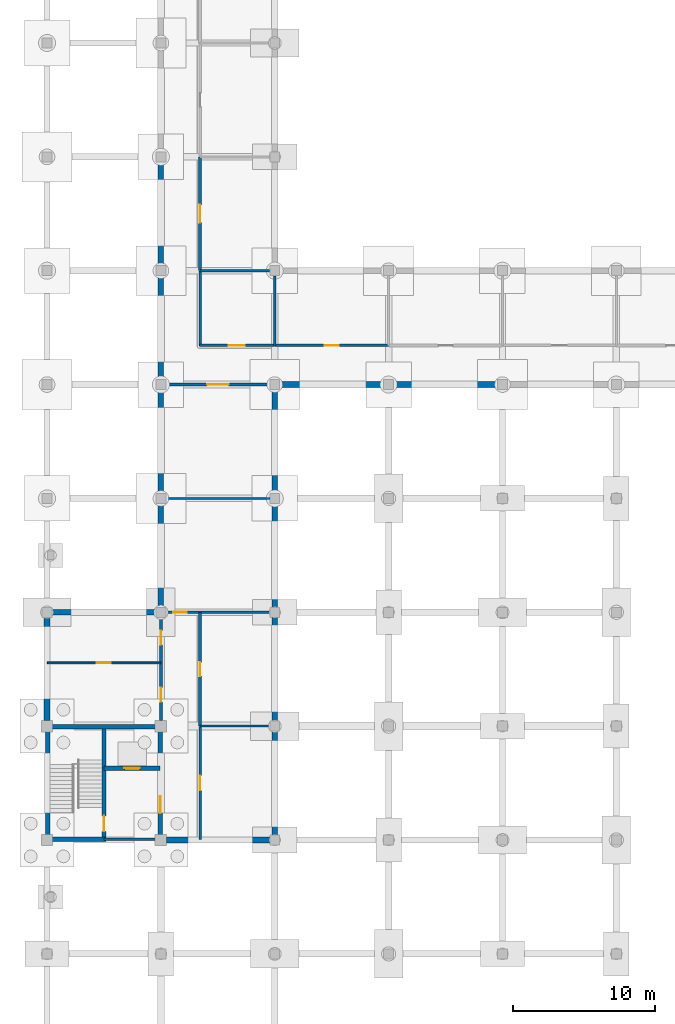
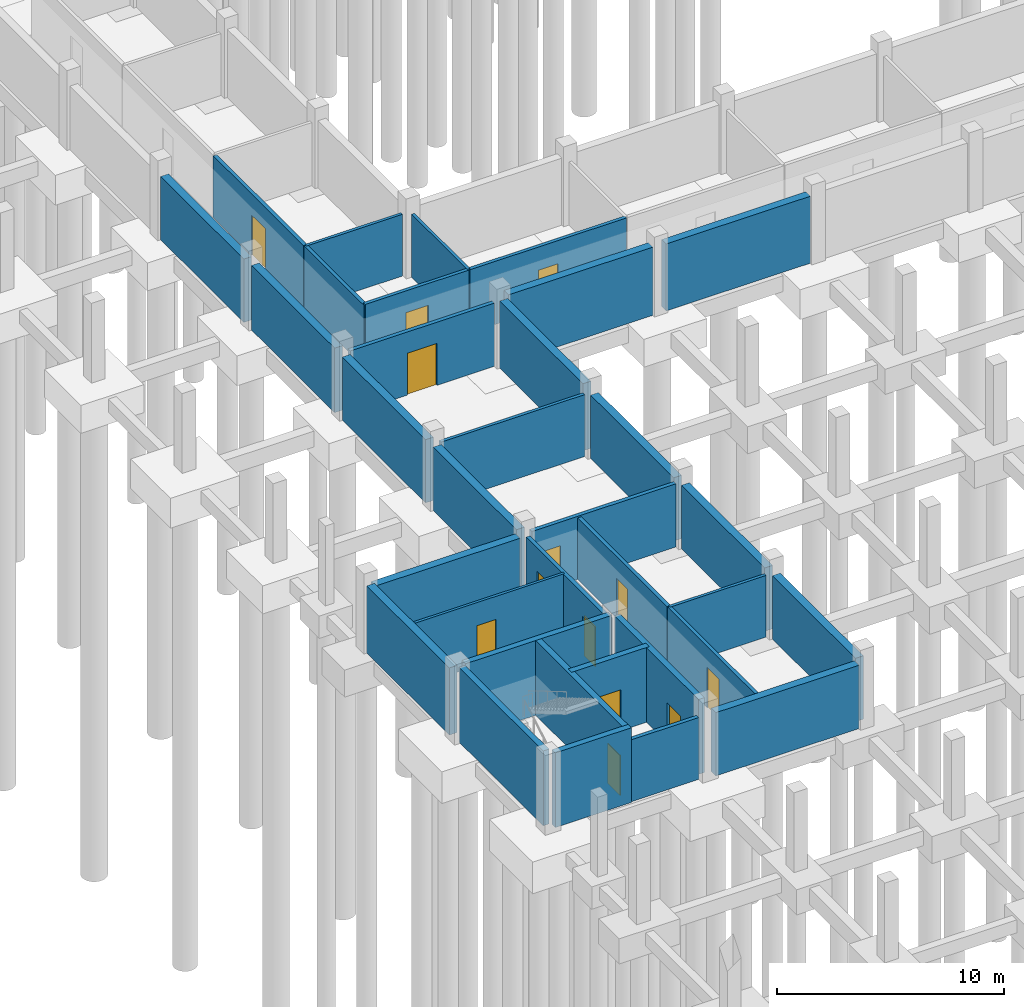
# One storey, part 26 of 48: 34 walls, 13 doors, 13 openings.
"""IFC4 building model written with IfcOpenShell, lengths in metres."""

from ifc_helpers import new_model, si_unit, derived_unit, direction, frame, frame_2d, origin, place, context, subcontext, project, spatial, rectangle, extrude, material, layer, layer_set, type_object, element, fill, save


model = new_model("IFC4")

# Units and contexts
model_context = context("Model", 3, precision=1e-05, world=origin(), true_north=direction((0.0, 1.0)))
body_context = subcontext(model_context, "Body", "Model", "MODEL_VIEW")
ifc_project = project(units=[si_unit("LENGTHUNIT", "METRE"), si_unit("AREAUNIT", "SQUARE_METRE"), si_unit("VOLUMEUNIT", "CUBIC_METRE"), si_unit("PLANEANGLEUNIT", "RADIAN"), si_unit("MASSUNIT", "GRAM", prefix="KILO"), derived_unit("THERMALTRANSMITTANCEUNIT", [(si_unit("MASSUNIT", "GRAM", prefix="KILO"), 1), (si_unit("TIMEUNIT", "SECOND"), -3), (si_unit("THERMODYNAMICTEMPERATUREUNIT", "KELVIN"), -1)])], contexts=[model_context])

# Site, building, storey
site_placement = place(None, origin())
site = spatial("IfcSite", under=ifc_project, at=site_placement, CompositionType="ELEMENT")
building_placement = place(site_placement, origin())
building = spatial("IfcBuilding", under=site, at=building_placement, Name="Veyamyaing Civic Hall", CompositionType="ELEMENT")
storey_placement = place(building_placement, frame((0.0, 0.0, -4.2900390625)))
storey = spatial("IfcBuildingStorey", under=building, at=storey_placement, Name="B1", CompositionType="ELEMENT", Elevation=-4.2900390625)

# Walls
ifc_material_1 = material(Name="Concrete C40/50", Category="concrete")
ifc_layer_1 = layer(ifc_material_1, 0.39990234375, Name="Concrete C40/50")
ifc_layer_set_1 = layer_set([ifc_layer_1], Name="Concrete C40/50")
wall_type_1 = type_object("IfcWallType", Name="WT-01", PredefinedType="SHEAR", material=ifc_layer_set_1)
wall_1_placement = place(storey_placement, frame((0.3349609375, 32.0, 0.0), z_axis=(0.0, 0.0, 1.0), x_axis=(1.0, 0.0, 0.0)))
element("IfcWall", 1, at=wall_1_placement, inside=storey, type_object=wall_type_1, Name="Basement retaining wall WT-01 N 1.4", PredefinedType="SHEAR", context=body_context, shape_type="SweptSolid", body=[
    extrude(rectangle(XDim=7.330078125, YDim=0.39990234375, at=frame_2d((3.6650390625, 0.0))), origin(), (0.0, 0.0, 1.0), 3.323974609375),
])
wall_2_placement = place(storey_placement, frame((0.0, 24.385009765625, 0.0), z_axis=(0.0, 0.0, 1.0), x_axis=(0.0, 1.0, 0.0)))
element("IfcWall", 2, at=wall_2_placement, inside=storey, type_object=wall_type_1, Name="Basement retaining wall WT-01 W 1.4", PredefinedType="SHEAR", context=body_context, shape_type="SweptSolid", body=[
    extrude(rectangle(XDim=7.280029296875, YDim=0.39990234375, at=frame_2d((3.64013671875, 0.0))), origin(), (0.0, 0.0, 1.0), 3.60400390625),
])
wall_3_placement = place(storey_placement, frame((8.385009765625, 16.0, 0.0), z_axis=(0.0, 0.0, 1.0), x_axis=(1.0, 0.0, 0.0)))
element("IfcWall", 3, at=wall_3_placement, inside=storey, type_object=wall_type_1, Name="Basement retaining wall WT-01 S 2.3", PredefinedType="SHEAR", context=body_context, shape_type="SweptSolid", body=[
    extrude(rectangle(XDim=7.280029296875, YDim=0.39990234375, at=frame_2d((3.64013671875, 0.0))), origin(), (0.0, 0.0, 1.0), 3.401123046875),
])
wall_4_placement = place(storey_placement, frame((16.0, 16.3349609375, 0.0), z_axis=(0.0, 0.0, 1.0), x_axis=(0.0, 1.0, 0.0)))
element("IfcWall", 4, at=wall_4_placement, inside=storey, type_object=wall_type_1, Name="Basement retaining wall WT-01 E 2.3", PredefinedType="SHEAR", context=body_context, shape_type="SweptSolid", body=[
    extrude(rectangle(XDim=7.330078125, YDim=0.39990234375, at=frame_2d((3.6650390625, 0.0))), origin(), (0.0, 0.0, 1.0), 3.400146484375),
])
for number, where, z_axis, x_axis, name in (
    (5, (16.0, 24.3349609375, 0.0), (0.0, 0.0, 1.0), (0.0, 1.0, 0.0), "Basement retaining wall WT-01 E 2.4"),
    (6, (8.0, 32.3349609375, 0.0), (0.0, 0.0, 1.0), (0.0, 1.0, 0.0), "Basement retaining wall WT-01 W 2.5"),
):
    element("IfcWall", number, at=place(storey_placement, frame(where, z_axis=z_axis, x_axis=x_axis)), inside=storey, type_object=wall_type_1, Name=name, PredefinedType="SHEAR", context=body_context, shape_type="SweptSolid", body=[
        extrude(rectangle(XDim=7.330078125, YDim=0.39990234375, at=frame_2d((3.6650390625, 0.0))), origin(), (0.0, 0.0, 1.0), 3.408935546875),
    ])
for number, where, z_axis, x_axis, name in (
    (7, (16.0, 32.3349609375, 0.0), (0.0, 0.0, 1.0), (0.0, 1.0, 0.0), "Basement retaining wall WT-01 E 2.5"),
    (8, (8.0, 40.3349609375, 0.0), (0.0, 0.0, 1.0), (0.0, 1.0, 0.0), "Basement retaining wall WT-01 W 2.6"),
):
    element("IfcWall", number, at=place(storey_placement, frame(where, z_axis=z_axis, x_axis=x_axis)), inside=storey, type_object=wall_type_1, Name=name, PredefinedType="SHEAR", context=body_context, shape_type="SweptSolid", body=[
        extrude(rectangle(XDim=7.330078125, YDim=0.39990234375, at=frame_2d((3.6650390625, 0.0))), origin(), (0.0, 0.0, 1.0), 3.401123046875),
    ])
wall_5_placement = place(storey_placement, frame((16.0, 40.3349609375, 0.0), z_axis=(0.0, 0.0, 1.0), x_axis=(0.0, 1.0, 0.0)))
element("IfcWall", 9, at=wall_5_placement, inside=storey, type_object=wall_type_1, Name="Basement retaining wall WT-01 E 2.6", PredefinedType="SHEAR", context=body_context, shape_type="SweptSolid", body=[
    extrude(rectangle(XDim=7.330078125, YDim=0.39990234375, at=frame_2d((3.6650390625, 0.0))), origin(), (0.0, 0.0, 1.0), 3.60400390625),
])
wall_6_placement = place(storey_placement, frame((8.0, 48.3349609375, 0.0), z_axis=(0.0, 0.0, 1.0), x_axis=(0.0, 1.0, 0.0)))
element("IfcWall", 10, at=wall_6_placement, inside=storey, type_object=wall_type_1, Name="Basement retaining wall WT-01 W 2.7", PredefinedType="SHEAR", context=body_context, shape_type="SweptSolid", body=[
    extrude(rectangle(XDim=7.330078125, YDim=0.39990234375, at=frame_2d((3.6650390625, 0.0))), origin(), (0.0, 0.0, 1.0), 3.468017578125),
])
wall_7_placement = place(storey_placement, frame((8.0, 56.3349609375, 0.0), z_axis=(0.0, 0.0, 1.0), x_axis=(0.0, 1.0, 0.0)))
element("IfcWall", 11, at=wall_7_placement, inside=storey, type_object=wall_type_1, Name="Basement retaining wall WT-01 W 2.8", PredefinedType="SHEAR", context=body_context, shape_type="SweptSolid", body=[
    extrude(rectangle(XDim=7.330078125, YDim=0.39990234375, at=frame_2d((3.6650390625, 0.0))), origin(), (0.0, 0.0, 1.0), 3.400146484375),
])
wall_8_placement = place(storey_placement, frame((16.3349609375, 48.0, 0.0), z_axis=(0.0, 0.0, 1.0), x_axis=(1.0, 0.0, 0.0)))
element("IfcWall", 12, at=wall_8_placement, inside=storey, type_object=wall_type_1, Name="Basement retaining wall WT-01 S 3.7", PredefinedType="SHEAR", context=body_context, shape_type="SweptSolid", body=[
    extrude(rectangle(XDim=7.330078125, YDim=0.39990234375, at=frame_2d((3.6650390625, 0.0))), origin(), (0.0, 0.0, 1.0), 3.6669921875),
])
wall_9_placement = place(storey_placement, frame((24.3349609375, 48.0, 0.0), z_axis=(0.0, 0.0, 1.0), x_axis=(1.0, 0.0, 0.0)))
element("IfcWall", 13, at=wall_9_placement, inside=storey, type_object=wall_type_1, Name="Basement retaining wall WT-01 S 4.7", PredefinedType="SHEAR", context=body_context, shape_type="SweptSolid", body=[
    extrude(rectangle(XDim=7.330078125, YDim=0.39990234375, at=frame_2d((3.6650390625, 0.0))), origin(), (0.0, 0.0, 1.0), 3.60009765625),
])
ifc_layer_2 = layer(ifc_material_1, 0.300048828125, Name="Concrete C40/50")
ifc_layer_set_2 = layer_set([ifc_layer_2], Name="Concrete C40/50")
wall_type_2 = type_object("IfcWallType", Name="WT-05", PredefinedType="SHEAR", material=ifc_layer_set_2)
for number, where, z_axis, x_axis, name in (
    (14, (0.050048828125, 16.2900390625, 0.0), (0.0, 0.0, 1.0), (0.0, 1.0, 0.0), "Core shear wall WT-05 CORE-7 B1.W"),
    (15, (0.2900390625, 23.949951171875, 0.0), (0.0, 0.0, 1.0), (1.0, 0.0, 0.0), "Core shear wall WT-05 CORE-7 B1.N"),
):
    element("IfcWall", number, at=place(storey_placement, frame(where, z_axis=z_axis, x_axis=x_axis)), inside=storey, type_object=wall_type_2, Name=name, PredefinedType="SHEAR", context=body_context, shape_type="SweptSolid", body=[
        extrude(rectangle(XDim=7.419921875, YDim=0.300048828125, at=frame_2d((3.7099609375, 0.0))), origin(), (0.0, 0.0, 1.0), 4.01513671875),
    ])

# Wall, opening, door
wall_10_placement = place(storey_placement, frame((7.949951171875, 16.2900390625, 0.0), z_axis=(0.0, 0.0, 1.0), x_axis=(0.0, 1.0, 0.0)))
wall_10 = element("IfcWall", 16, at=wall_10_placement, inside=storey, type_object=wall_type_2, Name="Core shear wall WT-05 CORE-7 B1.E", PredefinedType="SHEAR", context=body_context, shape_type="SweptSolid", body=[
    extrude(rectangle(XDim=7.419921875, YDim=0.300048828125, at=frame_2d((3.7099609375, 0.0))), origin(), (0.0, 0.0, 1.0), 4.01513671875),
])
opening_1_placement = place(wall_10_placement, frame((1.60009765625, 0.0, 0.0)))
opening_1 = element("IfcOpeningElement", 17, at=opening_1_placement, cuts=wall_10, Name="Opening D-04", PredefinedType="OPENING", context=body_context, shape_type="SweptSolid", body=[
    extrude(rectangle(XDim=1.199951171875, YDim=2.14990234375, at=frame_2d((0.60009765625, 1.074951171875))), frame((0.0, 0.159912109375, 0.0), z_axis=(0.0, -1.0, 0.0), x_axis=(1.0, 0.0, 0.0)), (0.0, 0.0, 1.0), 0.320068359375),
])
ifc_material_2 = material(Name="Galvanized steel S355J2", Category="steel")
door_type_1 = type_object("IfcDoorType", Name="D-04", OperationType="NOTDEFINED", PredefinedType="DOOR", material=ifc_material_2)
door_1_placement = place(opening_1_placement, frame((1.199951171875, 0.0, 0.0), z_axis=(0.0, 0.0, 1.0), x_axis=(-1.0, 0.0, 0.0)))
door_1 = element("IfcDoor", 18, at=door_1_placement, inside=storey, type_object=door_type_1, Name="Protected lobby fire door D-04 CORE-7 B1", OperationType="SINGLE_SWING_RIGHT", OverallHeight=2.14990234375, OverallWidth=1.199951171875, PredefinedType="DOOR", context=body_context, shape_type="SweptSolid", body=[
    extrude(rectangle(XDim=1.199951171875, YDim=2.14990234375, at=frame_2d((0.60009765625, 1.074951171875))), frame((0.0, 0.02490234375, 0.0), z_axis=(0.0, -1.0, 0.0), x_axis=(1.0, 0.0, 0.0)), (0.0, 0.0, 1.0), 0.050048828125),
])
fill(opening_1, door_1)

# Wall
wall_11_placement = place(storey_placement, frame((0.2900390625, 16.050048828125, 0.0), z_axis=(0.0, 0.0, 1.0), x_axis=(1.0, 0.0, 0.0)))
element("IfcWall", 19, at=wall_11_placement, inside=storey, type_object=wall_type_2, Name="Core shear wall WT-05 CORE-7 B1.SS", PredefinedType="SHEAR", context=body_context, shape_type="SweptSolid", body=[
    extrude(rectangle(XDim=3.85986328125, YDim=0.300048828125, at=frame_2d((1.929931640625, 0.0))), origin(), (0.0, 0.0, 1.0), 4.01513671875),
])

# Wall, opening, door
wall_12_placement = place(storey_placement, frame((4.0, 16.050048828125, 0.0), z_axis=(0.0, 0.0, 1.0), x_axis=(0.0, 1.0, 0.0)))
wall_12 = element("IfcWall", 20, at=wall_12_placement, inside=storey, type_object=wall_type_2, Name="Core shear wall WT-05 CORE-7 B1.MID", PredefinedType="SHEAR", context=body_context, shape_type="SweptSolid", body=[
    extrude(rectangle(XDim=7.89990234375, YDim=0.300048828125, at=frame_2d((3.949951171875, 0.0))), origin(), (0.0, 0.0, 1.0), 4.01513671875),
])
opening_2_placement = place(wall_12_placement, frame((0.550048828125, 0.0, 0.0)))
opening_2 = element("IfcOpeningElement", 21, at=opening_2_placement, cuts=wall_12, Name="Opening D-03", PredefinedType="OPENING", context=body_context, shape_type="SweptSolid", body=[
    extrude(rectangle(XDim=1.10009765625, YDim=2.14990234375, at=frame_2d((0.550048828125, 1.074951171875))), frame((0.0, 0.159912109375, 0.0), z_axis=(0.0, -1.0, 0.0), x_axis=(1.0, 0.0, 0.0)), (0.0, 0.0, 1.0), 0.320068359375),
])
door_type_2 = type_object("IfcDoorType", Name="D-03", OperationType="NOTDEFINED", PredefinedType="DOOR", material=ifc_material_2)
door_2_placement = place(opening_2_placement, origin())
door_2 = element("IfcDoor", 22, at=door_2_placement, inside=storey, type_object=door_type_2, Name="Exit stair fire door D-03 ST-09 B1", OperationType="SINGLE_SWING_LEFT", OverallHeight=2.14990234375, OverallWidth=1.10009765625, PredefinedType="DOOR", context=body_context, shape_type="SweptSolid", body=[
    extrude(rectangle(XDim=1.10009765625, YDim=2.14990234375, at=frame_2d((0.550048828125, 1.074951171875))), frame((0.0, 0.02490234375, 0.0), z_axis=(0.0, -1.0, 0.0), x_axis=(1.0, 0.0, 0.0)), (0.0, 0.0, 1.0), 0.050048828125),
])
fill(opening_2, door_2)

wall_13_placement = place(storey_placement, frame((4.0, 21.050048828125, 0.0), z_axis=(0.0, 0.0, 1.0), x_axis=(1.0, 0.0, 0.0)))
wall_13 = element("IfcWall", 23, at=wall_13_placement, inside=storey, type_object=wall_type_2, Name="Core shear wall WT-05 CORE-7 B1.LFT", PredefinedType="SHEAR", context=body_context, shape_type="SweptSolid", body=[
    extrude(rectangle(XDim=3.949951171875, YDim=0.300048828125, at=frame_2d((1.97509765625, 0.0))), origin(), (0.0, 0.0, 1.0), 4.01513671875),
])
opening_3_placement = place(wall_13_placement, frame((1.425048828125, 0.0, 0.0)))
opening_3 = element("IfcOpeningElement", 24, at=opening_3_placement, cuts=wall_13, Name="Opening LD-01", PredefinedType="OPENING", context=body_context, shape_type="SweptSolid", body=[
    extrude(rectangle(XDim=1.10009765625, YDim=2.199951171875, at=frame_2d((0.550048828125, 1.10009765625))), frame((0.0, 0.159912109375, 0.0), z_axis=(0.0, -1.0, 0.0), x_axis=(1.0, 0.0, 0.0)), (0.0, 0.0, 1.0), 0.320068359375),
])
ifc_material_3 = material(Name="Anodised aluminium 6063-T6", Category="aluminium")
door_type_3 = type_object("IfcDoorType", Name="LD-01", OperationType="SLIDING_TO_LEFT", PredefinedType="DOOR", material=ifc_material_3)
door_3_placement = place(opening_3_placement, origin())
door_3 = element("IfcDoor", 25, at=door_3_placement, inside=storey, type_object=door_type_3, Name="Lift sliding landing door LD-01 PL-05 B1", OperationType="SLIDING_TO_LEFT", OverallHeight=2.199951171875, OverallWidth=1.10009765625, PredefinedType="DOOR", context=body_context, shape_type="SweptSolid", body=[
    extrude(rectangle(XDim=1.10009765625, YDim=2.199951171875, at=frame_2d((0.550048828125, 1.10009765625))), frame((0.0, 0.02490234375, 0.0), z_axis=(0.0, -1.0, 0.0), x_axis=(1.0, 0.0, 0.0)), (0.0, 0.0, 1.0), 0.050048828125),
])
fill(opening_3, door_3)

# Wall
ifc_layer_3 = layer(ifc_material_1, 0.199951171875, Name="Concrete C40/50")
ifc_layer_set_3 = layer_set([ifc_layer_3], Name="Concrete C40/50")
wall_type_3 = type_object("IfcWallType", Name="WT-06", PredefinedType="PARTITIONING", material=ifc_layer_set_3)
wall_14_placement = place(storey_placement, frame((4.0, 16.050048828125, 0.0), z_axis=(0.0, 0.0, 1.0), x_axis=(1.0, 0.0, 0.0)))
element("IfcWall", 26, at=wall_14_placement, inside=storey, type_object=wall_type_3, Name="Firefighting lift lobby wall WT-06 CORE-7 B1", PredefinedType="PARTITIONING", context=body_context, shape_type="SweptSolid", body=[
    extrude(rectangle(XDim=3.610107421875, YDim=0.199951171875, at=frame_2d((1.80517578125, 0.0))), origin(), (0.0, 0.0, 1.0), 3.325927734375),
])

# Wall, openings, doors
wall_15_placement = place(storey_placement, frame((8.0, 24.389892578125, 0.0), z_axis=(0.0, 0.0, 1.0), x_axis=(0.0, 1.0, 0.0)))
wall_15 = element("IfcWall", 27, at=wall_15_placement, inside=storey, type_object=wall_type_3, Name="Interior partition wall WT-06 B1.1", PredefinedType="PARTITIONING", context=body_context, shape_type="SweptSolid", body=[
    extrude(rectangle(XDim=7.27001953125, YDim=0.199951171875, at=frame_2d((3.635009765625, 0.0))), origin(), (0.0, 0.0, 1.0), 3.39306640625),
])
opening_4_placement = place(wall_15_placement, frame((1.3173828125, 0.0, 0.0)))
opening_4 = element("IfcOpeningElement", 28, at=opening_4_placement, cuts=wall_15, Name="Opening D-13", PredefinedType="OPENING", context=body_context, shape_type="SweptSolid", body=[
    extrude(rectangle(XDim=1.0, YDim=2.14990234375, at=frame_2d((0.5, 1.074951171875))), frame((0.0, 0.10986328125, 0.0), z_axis=(0.0, -1.0, 0.0), x_axis=(1.0, 0.0, 0.0)), (0.0, 0.0, 1.0), 0.219970703125),
])
opening_5_placement = place(wall_15_placement, frame((5.31591796875, 0.0, 0.0)))
opening_5 = element("IfcOpeningElement", 29, at=opening_5_placement, cuts=wall_15, Name="Opening D-13", PredefinedType="OPENING", context=body_context, shape_type="SweptSolid", body=[
    extrude(rectangle(XDim=1.0, YDim=2.14990234375, at=frame_2d((0.5, 1.074951171875))), frame((0.0, 0.10986328125, 0.0), z_axis=(0.0, -1.0, 0.0), x_axis=(1.0, 0.0, 0.0)), (0.0, 0.0, 1.0), 0.219970703125),
])
ifc_material_4 = material(Name="Teak-veneered acoustic timber", Category="wood")
door_type_4 = type_object("IfcDoorType", Name="D-13", OperationType="NOTDEFINED", PredefinedType="DOOR", material=ifc_material_4)
door_4_placement = place(opening_4_placement, origin())
door_4 = element("IfcDoor", 30, at=door_4_placement, inside=storey, type_object=door_type_4, Name="Interior room door D-13 B1.1.1", OperationType="SINGLE_SWING_LEFT", OverallHeight=2.14990234375, OverallWidth=1.0, PredefinedType="DOOR", context=body_context, shape_type="SweptSolid", body=[
    extrude(rectangle(XDim=1.0, YDim=2.14990234375, at=frame_2d((0.5, 1.074951171875))), frame((0.0, 0.02490234375, 0.0), z_axis=(0.0, -1.0, 0.0), x_axis=(1.0, 0.0, 0.0)), (0.0, 0.0, 1.0), 0.050048828125),
])
fill(opening_4, door_4)
door_5_placement = place(opening_5_placement, origin())
door_5 = element("IfcDoor", 31, at=door_5_placement, inside=storey, type_object=door_type_4, Name="Interior room door D-13 B1.1.2", OperationType="SINGLE_SWING_RIGHT", OverallHeight=2.14990234375, OverallWidth=1.0, PredefinedType="DOOR", context=body_context, shape_type="SweptSolid", body=[
    extrude(rectangle(XDim=1.0, YDim=2.14990234375, at=frame_2d((0.5, 1.074951171875))), frame((0.0, 0.02490234375, 0.0), z_axis=(0.0, -1.0, 0.0), x_axis=(1.0, 0.0, 0.0)), (0.0, 0.0, 1.0), 0.050048828125),
])
fill(opening_5, door_5)

# Wall, opening, door
wall_16_placement = place(storey_placement, frame((8.340087890625, 32.0, 0.0), z_axis=(0.0, 0.0, 1.0), x_axis=(1.0, 0.0, 0.0)))
wall_16 = element("IfcWall", 32, at=wall_16_placement, inside=storey, type_object=wall_type_3, Name="Interior partition wall WT-06 B1.4", PredefinedType="PARTITIONING", context=body_context, shape_type="SweptSolid", body=[
    extrude(rectangle(XDim=7.31982421875, YDim=0.199951171875, at=frame_2d((3.659912109375, 0.0))), origin(), (0.0, 0.0, 1.0), 3.39306640625),
])
opening_6_placement = place(wall_16_placement, frame((0.52001953125, 0.0, 0.0)))
opening_6 = element("IfcOpeningElement", 33, at=opening_6_placement, cuts=wall_16, Name="Opening D-30", PredefinedType="OPENING", context=body_context, shape_type="SweptSolid", body=[
    extrude(rectangle(XDim=0.93994140625, YDim=2.1201171875, at=frame_2d((0.469970703125, 1.06005859375))), frame((0.0, 0.10986328125, 0.0), z_axis=(0.0, -1.0, 0.0), x_axis=(1.0, 0.0, 0.0)), (0.0, 0.0, 1.0), 0.219970703125),
])
door_type_5 = type_object("IfcDoorType", Name="D-30", OperationType="NOTDEFINED", PredefinedType="DOOR", material=ifc_material_4)
door_6_placement = place(opening_6_placement, origin())
door_6 = element("IfcDoor", 34, at=door_6_placement, inside=storey, type_object=door_type_5, Name="Interior door D-30 B1.4", OperationType="SINGLE_SWING_LEFT", OverallHeight=2.1201171875, OverallWidth=0.93994140625, PredefinedType="DOOR", context=body_context, shape_type="SweptSolid", body=[
    extrude(rectangle(XDim=0.93994140625, YDim=2.1201171875, at=frame_2d((0.469970703125, 1.06005859375))), frame((0.0, 0.02490234375, 0.0), z_axis=(0.0, -1.0, 0.0), x_axis=(1.0, 0.0, 0.0)), (0.0, 0.0, 1.0), 0.050048828125),
])
fill(opening_6, door_6)

wall_17_placement = place(storey_placement, frame((8.340087890625, 48.0, 0.0), z_axis=(0.0, 0.0, 1.0), x_axis=(1.0, 0.0, 0.0)))
wall_17 = element("IfcWall", 35, at=wall_17_placement, inside=storey, type_object=wall_type_3, Name="Interior partition wall WT-06 B1.6", PredefinedType="PARTITIONING", context=body_context, shape_type="SweptSolid", body=[
    extrude(rectangle(XDim=7.31982421875, YDim=0.199951171875, at=frame_2d((3.659912109375, 0.0))), origin(), (0.0, 0.0, 1.0), 3.39404296875),
])
opening_7_placement = place(wall_17_placement, frame((2.909912109375, 0.0, 0.0)))
opening_7 = element("IfcOpeningElement", 36, at=opening_7_placement, cuts=wall_17, Name="Opening D-10", PredefinedType="OPENING", context=body_context, shape_type="SweptSolid", body=[
    extrude(rectangle(XDim=1.5, YDim=2.25, at=frame_2d((0.75, 1.125))), frame((0.0, 0.10986328125, 0.0), z_axis=(0.0, -1.0, 0.0), x_axis=(1.0, 0.0, 0.0)), (0.0, 0.0, 1.0), 0.219970703125),
])
door_type_6 = type_object("IfcDoorType", Name="D-10", OperationType="DOUBLE_DOOR_SINGLE_SWING", PredefinedType="DOOR", material=ifc_material_2)
door_7_placement = place(opening_7_placement, frame((1.5, 0.0, 0.0), z_axis=(0.0, 0.0, 1.0), x_axis=(-1.0, 0.0, 0.0)))
door_7 = element("IfcDoor", 37, at=door_7_placement, inside=storey, type_object=door_type_6, Name="Interior door D-10 B1.6", OperationType="DOUBLE_DOOR_SINGLE_SWING", OverallHeight=2.25, OverallWidth=1.5, PredefinedType="DOOR", context=body_context, shape_type="SweptSolid", body=[
    extrude(rectangle(XDim=1.5, YDim=2.25, at=frame_2d((0.75, 1.125))), frame((0.0, 0.02490234375, 0.0), z_axis=(0.0, -1.0, 0.0), x_axis=(1.0, 0.0, 0.0)), (0.0, 0.0, 1.0), 0.050048828125),
])
fill(opening_7, door_7)

ifc_material_5 = material(Name="Gypsum board on acoustic steel stud", Category="steel")
ifc_layer_4 = layer(ifc_material_5, 0.175048828125, Name="Gypsum board on acoustic steel stud")
ifc_layer_set_4 = layer_set([ifc_layer_4], Name="Gypsum board on acoustic steel stud")
wall_type_4 = type_object("IfcWallType", Name="WT-07", PredefinedType="PARTITIONING", material=ifc_layer_set_4)
wall_18_placement = place(storey_placement, frame((10.75, 16.02001953125, 0.0), z_axis=(0.0, 0.0, 1.0), x_axis=(0.0, 1.0, 0.0)))
wall_18 = element("IfcWall", 38, at=wall_18_placement, inside=storey, type_object=wall_type_4, Name="Corridor gallery partition WT-07 B1.5.1", PredefinedType="PARTITIONING", context=body_context, shape_type="SweptSolid", body=[
    extrude(rectangle(XDim=7.9599609375, YDim=0.175048828125, at=frame_2d((3.97998046875, 0.0))), origin(), (0.0, 0.0, 1.0), 3.317138671875),
])
opening_8_placement = place(wall_18_placement, frame((3.4599609375, 0.0, 0.0)))
opening_8 = element("IfcOpeningElement", 39, at=opening_8_placement, cuts=wall_18, Name="Opening D-24", PredefinedType="OPENING", context=body_context, shape_type="SweptSolid", body=[
    extrude(rectangle(XDim=1.0400390625, YDim=2.179931640625, at=frame_2d((0.52001953125, 1.08984375))), frame((0.0, 0.097412109375, 0.0), z_axis=(0.0, -1.0, 0.0), x_axis=(1.0, 0.0, 0.0)), (0.0, 0.0, 1.0), 0.195068359375),
])
door_type_7 = type_object("IfcDoorType", Name="D-24", OperationType="NOTDEFINED", PredefinedType="DOOR", material=ifc_material_4)
door_8_placement = place(opening_8_placement, frame((1.0400390625, 0.0, 0.0), z_axis=(0.0, 0.0, 1.0), x_axis=(-1.0, 0.0, 0.0)))
door_8 = element("IfcDoor", 40, at=door_8_placement, inside=storey, type_object=door_type_7, Name="Gallery office door D-24 B1.5", OperationType="SINGLE_SWING_LEFT", OverallHeight=2.179931640625, OverallWidth=1.0400390625, PredefinedType="DOOR", context=body_context, shape_type="SweptSolid", body=[
    extrude(rectangle(XDim=1.0400390625, YDim=2.179931640625, at=frame_2d((0.52001953125, 1.08984375))), frame((0.0, 0.02490234375, 0.0), z_axis=(0.0, -1.0, 0.0), x_axis=(1.0, 0.0, 0.0)), (0.0, 0.0, 1.0), 0.050048828125),
])
fill(opening_8, door_8)

wall_19_placement = place(storey_placement, frame((10.699951171875, 50.75, 0.0), z_axis=(0.0, 0.0, 1.0), x_axis=(1.0, 0.0, 0.0)))
wall_19 = element("IfcWall", 41, at=wall_19_placement, inside=storey, type_object=wall_type_4, Name="Corridor gallery partition WT-07 B1.7.1", PredefinedType="PARTITIONING", context=body_context, shape_type="SweptSolid", body=[
    extrude(rectangle(XDim=5.280029296875, YDim=0.175048828125, at=frame_2d((2.64013671875, 0.0))), origin(), (0.0, 0.0, 1.0), 3.39306640625),
])
opening_9_placement = place(wall_19_placement, frame((2.080078125, 0.0, 0.0)))
opening_9 = element("IfcOpeningElement", 42, at=opening_9_placement, cuts=wall_19, Name="Opening D-26", PredefinedType="OPENING", context=body_context, shape_type="SweptSolid", body=[
    extrude(rectangle(XDim=1.1201171875, YDim=2.219970703125, at=frame_2d((0.56005859375, 1.10986328125))), frame((0.0, 0.097412109375, 0.0), z_axis=(0.0, -1.0, 0.0), x_axis=(1.0, 0.0, 0.0)), (0.0, 0.0, 1.0), 0.195068359375),
])
door_type_8 = type_object("IfcDoorType", Name="D-26", OperationType="NOTDEFINED", PredefinedType="DOOR", material=ifc_material_4)
door_9_placement = place(opening_9_placement, origin())
door_9 = element("IfcDoor", 43, at=door_9_placement, inside=storey, type_object=door_type_8, Name="Gallery office door D-26 B1.7", OperationType="SINGLE_SWING_LEFT", OverallHeight=2.219970703125, OverallWidth=1.1201171875, PredefinedType="DOOR", context=body_context, shape_type="SweptSolid", body=[
    extrude(rectangle(XDim=1.1201171875, YDim=2.219970703125, at=frame_2d((0.56005859375, 1.10986328125))), frame((0.0, 0.02490234375, 0.0), z_axis=(0.0, -1.0, 0.0), x_axis=(1.0, 0.0, 0.0)), (0.0, 0.0, 1.0), 0.050048828125),
])
fill(opening_9, door_9)

# Wall
wall_20_placement = place(storey_placement, frame((10.75, 50.699951171875, 0.0), z_axis=(0.0, 0.0, 1.0), x_axis=(0.0, 1.0, 0.0)))
element("IfcWall", 44, at=wall_20_placement, inside=storey, type_object=wall_type_4, Name="Corridor gallery partition WT-07 B1.7.2", PredefinedType="PARTITIONING", context=body_context, shape_type="SweptSolid", body=[
    extrude(rectangle(XDim=5.280029296875, YDim=0.175048828125, at=frame_2d((2.64013671875, 0.0))), origin(), (0.0, 0.0, 1.0), 3.317138671875),
])

# Wall, opening, door
wall_21_placement = place(storey_placement, frame((16.02001953125, 50.75, 0.0), z_axis=(0.0, 0.0, 1.0), x_axis=(1.0, 0.0, 0.0)))
wall_21 = element("IfcWall", 45, at=wall_21_placement, inside=storey, type_object=wall_type_4, Name="Corridor gallery partition WT-07 B1.11.1", PredefinedType="PARTITIONING", context=body_context, shape_type="SweptSolid", body=[
    extrude(rectangle(XDim=7.9599609375, YDim=0.175048828125, at=frame_2d((3.97998046875, 0.0))), origin(), (0.0, 0.0, 1.0), 3.39306640625),
])
opening_10_placement = place(wall_21_placement, frame((3.47998046875, 0.0, 0.0)))
opening_10 = element("IfcOpeningElement", 46, at=opening_10_placement, cuts=wall_21, Name="Opening D-13", PredefinedType="OPENING", context=body_context, shape_type="SweptSolid", body=[
    extrude(rectangle(XDim=1.0, YDim=2.14990234375, at=frame_2d((0.5, 1.074951171875))), frame((0.0, 0.097412109375, 0.0), z_axis=(0.0, -1.0, 0.0), x_axis=(1.0, 0.0, 0.0)), (0.0, 0.0, 1.0), 0.195068359375),
])
door_10_placement = place(opening_10_placement, origin())
door_10 = element("IfcDoor", 47, at=door_10_placement, inside=storey, type_object=door_type_4, Name="Gallery office door D-13 B1.11", OperationType="SINGLE_SWING_LEFT", OverallHeight=2.14990234375, OverallWidth=1.0, PredefinedType="DOOR", context=body_context, shape_type="SweptSolid", body=[
    extrude(rectangle(XDim=1.0, YDim=2.14990234375, at=frame_2d((0.5, 1.074951171875))), frame((0.0, 0.02490234375, 0.0), z_axis=(0.0, -1.0, 0.0), x_axis=(1.0, 0.0, 0.0)), (0.0, 0.0, 1.0), 0.050048828125),
])
fill(opening_10, door_10)

# Walls
ifc_material_6 = material(Name="Gypsum board on steel stud", Category="steel")
ifc_layer_5 = layer(ifc_material_6, 0.14990234375, Name="Gypsum board on steel stud")
ifc_layer_set_5 = layer_set([ifc_layer_5], Name="Gypsum board on steel stud")
wall_type_5 = type_object("IfcWallType", Name="WT-08", PredefinedType="PARTITIONING", material=ifc_layer_set_5)
for number, where, z_axis, x_axis, name in (
    (48, (10.75, 24.0, 0.0), (0.0, 0.0, 1.0), (1.0, 0.0, 0.0), "Gallery office end partition WT-08 B1.5.2"),
    (49, (10.75, 56.0, 0.0), (0.0, 0.0, 1.0), (1.0, 0.0, 0.0), "Gallery office end partition WT-08 B1.7.1"),
):
    element("IfcWall", number, at=place(storey_placement, frame(where, z_axis=z_axis, x_axis=x_axis)), inside=storey, type_object=wall_type_5, Name=name, PredefinedType="PARTITIONING", context=body_context, shape_type="SweptSolid", body=[
        extrude(rectangle(XDim=4.889892578125, YDim=0.14990234375, at=frame_2d((2.44482421875, 0.0))), origin(), (0.0, 0.0, 1.0), 3.317138671875),
    ])
wall_22_placement = place(storey_placement, frame((16.0, 50.75, 0.0), z_axis=(0.0, 0.0, 1.0), x_axis=(0.0, 1.0, 0.0)))
element("IfcWall", 50, at=wall_22_placement, inside=storey, type_object=wall_type_5, Name="Gallery office end partition WT-08 B1.7.2", PredefinedType="PARTITIONING", context=body_context, shape_type="SweptSolid", body=[
    extrude(rectangle(XDim=4.889892578125, YDim=0.14990234375, at=frame_2d((2.44482421875, 0.0))), origin(), (0.0, 0.0, 1.0), 3.39306640625),
])
ifc_material_7 = material(Name="Cement-board wet-area partition")
ifc_layer_6 = layer(ifc_material_7, 0.159912109375, Name="Cement-board wet-area partition")
ifc_layer_set_6 = layer_set([ifc_layer_6], Name="Cement-board wet-area partition")
wall_type_6 = type_object("IfcWallType", Name="WT-14", PredefinedType="PARTITIONING", material=ifc_layer_set_6)
wall_23_placement = place(storey_placement, frame((8.340087890625, 40.0, 0.0), z_axis=(0.0, 0.0, 1.0), x_axis=(1.0, 0.0, 0.0)))
element("IfcWall", 51, at=wall_23_placement, inside=storey, type_object=wall_type_6, Name="Interior partition wall WT-14 B1.5", PredefinedType="PARTITIONING", context=body_context, shape_type="SweptSolid", body=[
    extrude(rectangle(XDim=7.31982421875, YDim=0.159912109375, at=frame_2d((3.659912109375, 0.0))), origin(), (0.0, 0.0, 1.0), 3.325927734375),
])

# Wall, opening, door
ifc_layer_7 = layer(ifc_material_6, 0.135009765625, Name="Gypsum board on steel stud")
ifc_layer_set_7 = layer_set([ifc_layer_7], Name="Gypsum board on steel stud")
wall_type_7 = type_object("IfcWallType", Name="WT-15", PredefinedType="PARTITIONING", material=ifc_layer_set_7)
wall_24_placement = place(storey_placement, frame((0.02001953125, 28.449951171875, 0.0), z_axis=(0.0, 0.0, 1.0), x_axis=(1.0, 0.0, 0.0)))
wall_24 = element("IfcWall", 52, at=wall_24_placement, inside=storey, type_object=wall_type_7, Name="Sub-bay room partition WT-15 B1.1", PredefinedType="PARTITIONING", context=body_context, shape_type="SweptSolid", body=[
    extrude(rectangle(XDim=7.9599609375, YDim=0.135009765625, at=frame_2d((3.97998046875, 0.0))), origin(), (0.0, 0.0, 1.0), 3.39306640625),
])
opening_11_placement = place(wall_24_placement, frame((3.489990234375, 0.0, 0.0)))
opening_11 = element("IfcOpeningElement", 53, at=opening_11_placement, cuts=wall_24, Name="Opening D-14", PredefinedType="OPENING", context=body_context, shape_type="SweptSolid", body=[
    extrude(rectangle(XDim=0.97998046875, YDim=2.14990234375, at=frame_2d((0.489990234375, 1.074951171875))), frame((0.0, 0.077392578125, 0.0), z_axis=(0.0, -1.0, 0.0), x_axis=(1.0, 0.0, 0.0)), (0.0, 0.0, 1.0), 0.155029296875),
])
door_type_9 = type_object("IfcDoorType", Name="D-14", OperationType="NOTDEFINED", PredefinedType="DOOR", material=ifc_material_4)
door_11_placement = place(opening_11_placement, origin())
door_11 = element("IfcDoor", 54, at=door_11_placement, inside=storey, type_object=door_type_9, Name="Suite connecting door D-14 B1.1", OperationType="SINGLE_SWING_LEFT", OverallHeight=2.14990234375, OverallWidth=0.97998046875, PredefinedType="DOOR", context=body_context, shape_type="SweptSolid", body=[
    extrude(rectangle(XDim=0.97998046875, YDim=2.14990234375, at=frame_2d((0.489990234375, 1.074951171875))), frame((0.0, 0.02490234375, 0.0), z_axis=(0.0, -1.0, 0.0), x_axis=(1.0, 0.0, 0.0)), (0.0, 0.0, 1.0), 0.050048828125),
])
fill(opening_11, door_11)

ifc_material_8 = material(Name="Gypsum board on double acoustic stud")
ifc_layer_8 = layer(ifc_material_8, 0.18505859375, Name="Gypsum board on double acoustic stud")
ifc_layer_set_8 = layer_set([ifc_layer_8], Name="Gypsum board on double acoustic stud")
wall_type_8 = type_object("IfcWallType", Name="WT-19", PredefinedType="PARTITIONING", material=ifc_layer_set_8)
wall_25_placement = place(storey_placement, frame((10.75, 24.02001953125, 0.0), z_axis=(0.0, 0.0, 1.0), x_axis=(0.0, 1.0, 0.0)))
wall_25 = element("IfcWall", 55, at=wall_25_placement, inside=storey, type_object=wall_type_8, Name="Corridor gallery partition WT-19 B1.6.1", PredefinedType="PARTITIONING", context=body_context, shape_type="SweptSolid", body=[
    extrude(rectangle(XDim=7.9599609375, YDim=0.18505859375, at=frame_2d((3.97998046875, 0.0))), origin(), (0.0, 0.0, 1.0), 3.317138671875),
])
opening_12_placement = place(wall_25_placement, frame((3.5, 0.0, 0.0)))
opening_12 = element("IfcOpeningElement", 56, at=opening_12_placement, cuts=wall_25, Name="Opening D-25", PredefinedType="OPENING", context=body_context, shape_type="SweptSolid", body=[
    extrude(rectangle(XDim=0.9599609375, YDim=2.139892578125, at=frame_2d((0.47998046875, 1.06982421875))), frame((0.0, 0.1025390625, 0.0), z_axis=(0.0, -1.0, 0.0), x_axis=(1.0, 0.0, 0.0)), (0.0, 0.0, 1.0), 0.205078125),
])
door_type_10 = type_object("IfcDoorType", Name="D-25", OperationType="NOTDEFINED", PredefinedType="DOOR", material=ifc_material_4)
door_12_placement = place(opening_12_placement, frame((0.9599609375, 0.0, 0.0), z_axis=(0.0, 0.0, 1.0), x_axis=(-1.0, 0.0, 0.0)))
door_12 = element("IfcDoor", 57, at=door_12_placement, inside=storey, type_object=door_type_10, Name="Gallery office door D-25 B1.6", OperationType="SINGLE_SWING_RIGHT", OverallHeight=2.139892578125, OverallWidth=0.9599609375, PredefinedType="DOOR", context=body_context, shape_type="SweptSolid", body=[
    extrude(rectangle(XDim=0.9599609375, YDim=2.139892578125, at=frame_2d((0.47998046875, 1.06982421875))), frame((0.0, 0.02490234375, 0.0), z_axis=(0.0, -1.0, 0.0), x_axis=(1.0, 0.0, 0.0)), (0.0, 0.0, 1.0), 0.050048828125),
])
fill(opening_12, door_12)

wall_26_placement = place(storey_placement, frame((10.75, 56.02001953125, 0.0), z_axis=(0.0, 0.0, 1.0), x_axis=(0.0, 1.0, 0.0)))
wall_26 = element("IfcWall", 58, at=wall_26_placement, inside=storey, type_object=wall_type_8, Name="Corridor gallery partition WT-19 B1.8.1", PredefinedType="PARTITIONING", context=body_context, shape_type="SweptSolid", body=[
    extrude(rectangle(XDim=7.9599609375, YDim=0.18505859375, at=frame_2d((3.97998046875, 0.0))), origin(), (0.0, 0.0, 1.0), 3.317138671875),
])
opening_13_placement = place(wall_26_placement, frame((3.35498046875, 0.0, 0.0)))
opening_13 = element("IfcOpeningElement", 59, at=opening_13_placement, cuts=wall_26, Name="Opening D-29", PredefinedType="OPENING", context=body_context, shape_type="SweptSolid", body=[
    extrude(rectangle(XDim=1.25, YDim=2.179931640625, at=frame_2d((0.625, 1.08984375))), frame((0.0, 0.1025390625, 0.0), z_axis=(0.0, -1.0, 0.0), x_axis=(1.0, 0.0, 0.0)), (0.0, 0.0, 1.0), 0.205078125),
])
door_type_11 = type_object("IfcDoorType", Name="D-29", OperationType="NOTDEFINED", PredefinedType="DOOR", material=ifc_material_4)
door_13_placement = place(opening_13_placement, frame((1.25, 0.0, 0.0), z_axis=(0.0, 0.0, 1.0), x_axis=(-1.0, 0.0, 0.0)))
door_13 = element("IfcDoor", 60, at=door_13_placement, inside=storey, type_object=door_type_11, Name="Gallery office door D-29 B1.8", OperationType="SINGLE_SWING_RIGHT", OverallHeight=2.179931640625, OverallWidth=1.25, PredefinedType="DOOR", context=body_context, shape_type="SweptSolid", body=[
    extrude(rectangle(XDim=1.25, YDim=2.179931640625, at=frame_2d((0.625, 1.08984375))), frame((0.0, 0.02490234375, 0.0), z_axis=(0.0, -1.0, 0.0), x_axis=(1.0, 0.0, 0.0)), (0.0, 0.0, 1.0), 0.050048828125),
])
fill(opening_13, door_13)

save(model, "model.ifc")
